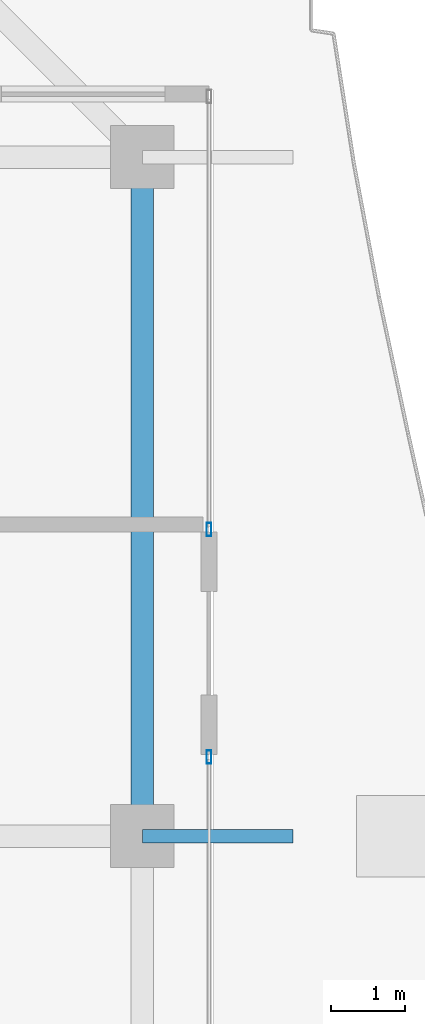
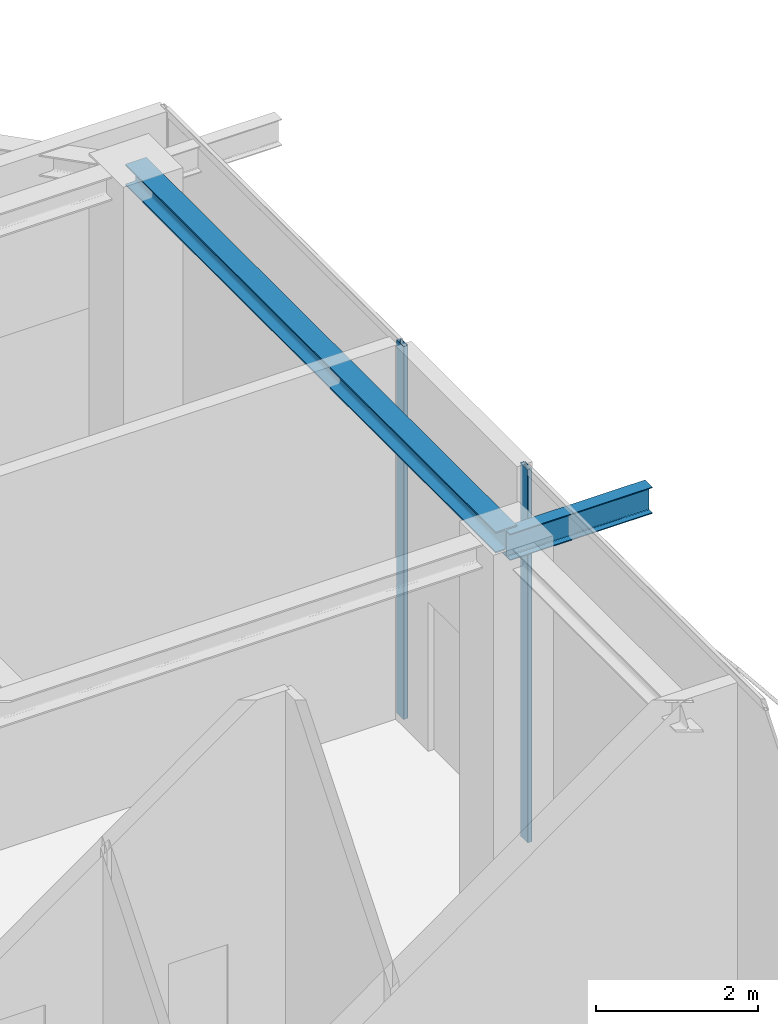
# One storey, part 18 of 40: 2 beams, 2 members, 2 elements without a shape of their own.
"""IFC4 building model written with IfcOpenShell, lengths in metres."""

from ifc_helpers import new_model, si_unit, direction, frame, origin, origin_2d, place, context, subcontext, project, spatial, hollow_rectangle, i_section, extrude, source, transform, mapped, material, layer, layer_set, material_profile, profile_set, type_object, element, aggregate, save


model = new_model("IFC4")

# Units and contexts
model_context = context("Model", 3, precision=1e-05, world=origin(), true_north=direction((0.0, 1.0)))
body_context = subcontext(model_context, "Body", "Model", "MODEL_VIEW")
ifc_project = project(units=[si_unit("LENGTHUNIT", "METRE"), si_unit("AREAUNIT", "SQUARE_METRE"), si_unit("VOLUMEUNIT", "CUBIC_METRE"), si_unit("PLANEANGLEUNIT", "RADIAN"), si_unit("MASSUNIT", "GRAM", prefix="KILO")], contexts=[model_context])

# Site, building, storey
site_placement = place(None, origin())
site = spatial("IfcSite", under=ifc_project, at=site_placement, CompositionType="ELEMENT")
building_placement = place(site_placement, origin())
building = spatial("IfcBuilding", under=site, at=building_placement, Name="Serunith Strait Residences", CompositionType="ELEMENT")
storey_placement = place(building_placement, frame((0.0, 0.0, 347.949951171875)))
storey = spatial("IfcBuildingStorey", under=building, at=storey_placement, Name="L86", CompositionType="ELEMENT", Elevation=347.949951171875)

# Beams
ifc_material_1 = material(Name="Steel S355J2", Category="steel")
ifc_material_profile_1 = material_profile(ifc_material_1, i_section(OverallWidth=0.300048828125, OverallDepth=0.320068359375, WebThickness=0.011474609375, FlangeThickness=0.0205078125, FilletRadius=0.027099609375, at=origin_2d()), Name="HEB 320")
ifc_profile_set_1 = profile_set([ifc_material_profile_1], Name="Steel S355J2")
beam_type_1 = type_object("IfcBeamType", Name="BM-HEB320", PredefinedType="BEAM", material=ifc_profile_set_1)
shared_shape_1 = source(origin(), body_context, "Body", "SweptSolid", [
    extrude(i_section(OverallWidth=0.300048828125, OverallDepth=0.320068359375, WebThickness=0.011474609375, FlangeThickness=0.0205078125, FilletRadius=0.027099609375, at=origin_2d()), origin(), (0.0, 0.0, 1.0), 9.150146484375),
])
beam_1_placement = place(storey_placement, frame((53.10009765625, 29.39990234375, 5.47705078125), z_axis=(0.0, 1.0, 0.0), x_axis=(-1.0, 0.0, 0.0)))
element("IfcBeam", 1, at=beam_1_placement, inside=storey, type_object=beam_type_1, Name="L86 Perimeter Ring Beam 07", PredefinedType="BEAM", context=body_context, shape_type="MappedRepresentation", body=[
    mapped(shared_shape_1, transform((0.0, 0.0, 0.0), scale=1.0)),
])
ifc_material_profile_2 = material_profile(ifc_material_1, i_section(OverallWidth=0.179931640625, OverallDepth=0.39990234375, WebThickness=0.008544921875, FlangeThickness=0.013427734375, FilletRadius=0.02099609375, at=origin_2d()), Name="IPE 400")
ifc_profile_set_2 = profile_set([ifc_material_profile_2], Name="Steel S355J2")
beam_type_2 = type_object("IfcBeamType", Name="BM-IPE400", PredefinedType="JOIST", material=ifc_profile_set_2)
shared_shape_2 = source(origin(), body_context, "Body", "SweptSolid", [
    extrude(i_section(OverallWidth=0.179931640625, OverallDepth=0.39990234375, WebThickness=0.008544921875, FlangeThickness=0.013427734375, FilletRadius=0.02099609375, at=origin_2d()), origin(), (0.0, 0.0, 1.0), 2.02978515625),
])
beam_2_placement = place(storey_placement, frame((53.10009765625, 29.39990234375, 5.406982421875), z_axis=(1.0, 0.0, 0.0), x_axis=(0.0, 1.0, 0.0)))
element("IfcBeam", 2, at=beam_2_placement, inside=storey, type_object=beam_type_2, Name="L87 Cantilevered Balcony Rib TC-E3", PredefinedType="JOIST", context=body_context, shape_type="MappedRepresentation", body=[
    mapped(shared_shape_2, transform((0.0, 0.0, 0.0), scale=1.0)),
])

# Curtain wall, member
ifc_material_2 = material(Name="Brushed Stainless-Silver Aluminium", Category="aluminium")
ifc_layer = layer(ifc_material_2, 0.199951171875, Name="Brushed Stainless-Silver Aluminium")
ifc_layer_set = layer_set([ifc_layer], Name="Brushed Stainless-Silver Aluminium")
curtain_wall_type = type_object("IfcCurtainWallType", Name="CW-SYS5", PredefinedType="NOTDEFINED", material=ifc_layer_set)
curtain_wall_1_placement = place(storey_placement, origin())
curtain_wall_1 = element("IfcCurtainWall", 3, at=curtain_wall_1_placement, inside=storey, type_object=curtain_wall_type, Name="L86 E Unitised Fritted Curtain Wall", PredefinedType="NOTDEFINED")
ifc_material_profile_3 = material_profile(ifc_material_2, hollow_rectangle(XDim=0.06494140625, YDim=0.179931640625, WallThickness=0.00341796875, InnerFilletRadius=0.00537109375, OuterFilletRadius=0.0087890625, at=origin_2d()), Name="ALU 180x65x3.5")
ifc_profile_set_3 = profile_set([ifc_material_profile_3], Name="Brushed Stainless-Silver Aluminium")
member_type = type_object("IfcMemberType", Name="CW-SYS5-MULL", PredefinedType="MULLION", material=ifc_profile_set_3)
shared_shape_3 = source(origin(), body_context, "Body", "SweptSolid", [
    extrude(hollow_rectangle(XDim=0.06494140625, YDim=0.179931640625, WallThickness=0.00341796875, InnerFilletRadius=0.00537109375, OuterFilletRadius=0.0087890625, at=origin_2d()), origin(), (0.0, 0.0, 1.0), 5.625),
])
member_1_placement = place(storey_placement, frame((54.0, 30.467529296875, 0.0), z_axis=(0.0, 0.0, 1.0), x_axis=(-1.0, 0.0, 0.0)))
member_1 = element("IfcMember", 4, at=member_1_placement, type_object=member_type, Name="CW-5 mullion 4", PredefinedType="MULLION", context=body_context, shape_type="MappedRepresentation", body=[
    mapped(shared_shape_3, transform((0.0, 0.0, 0.0), scale=1.0)),
])
aggregate(curtain_wall_1, [member_1])

curtain_wall_2_placement = place(storey_placement, origin())
curtain_wall_2 = element("IfcCurtainWall", 5, at=curtain_wall_2_placement, inside=storey, type_object=curtain_wall_type, Name="L86 E Unitised Fritted Curtain Wall", PredefinedType="NOTDEFINED")
member_2_placement = place(storey_placement, frame((54.0, 33.532470703125, 0.0), z_axis=(0.0, 0.0, 1.0), x_axis=(-1.0, 0.0, 0.0)))
member_2 = element("IfcMember", 6, at=member_2_placement, type_object=member_type, Name="CW-5 mullion 1", PredefinedType="MULLION", context=body_context, shape_type="MappedRepresentation", body=[
    mapped(shared_shape_3, transform((0.0, 0.0, 0.0), scale=1.0)),
])
aggregate(curtain_wall_2, [member_2])

save(model, "model.ifc")
